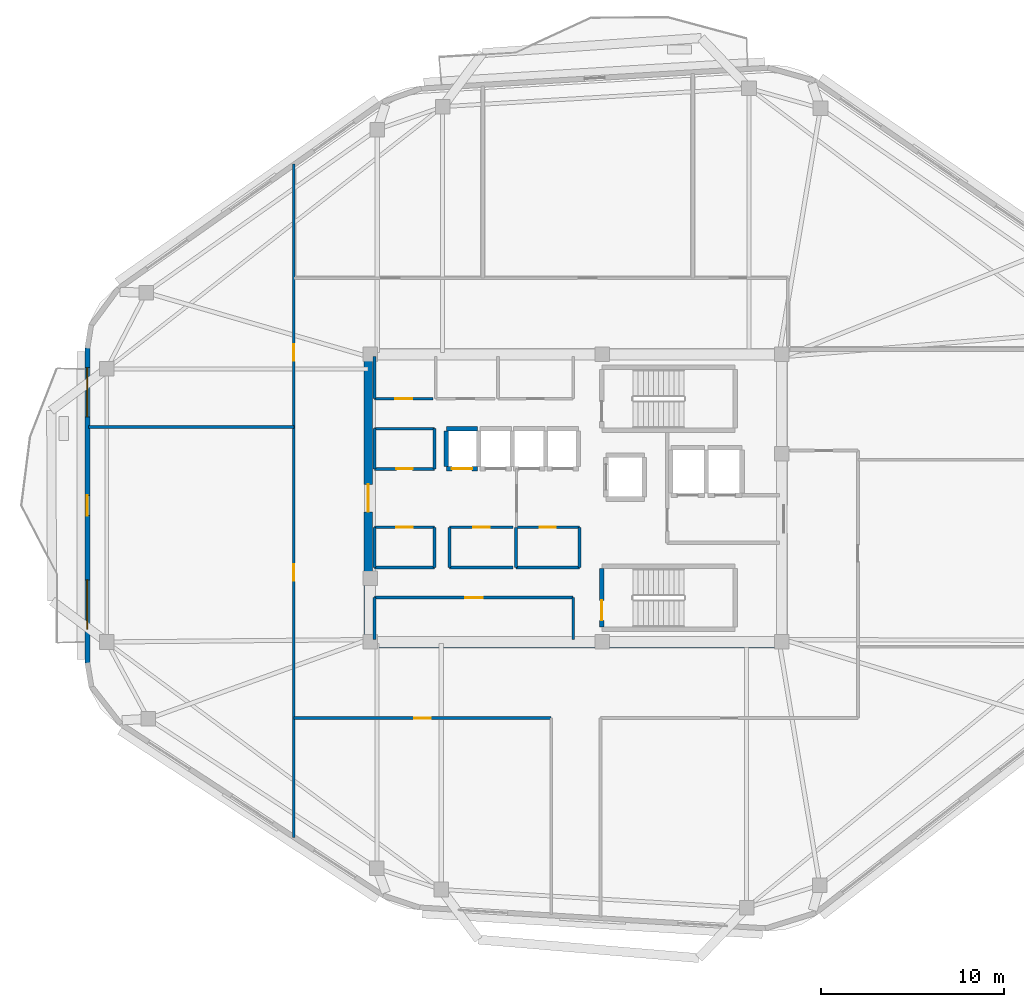
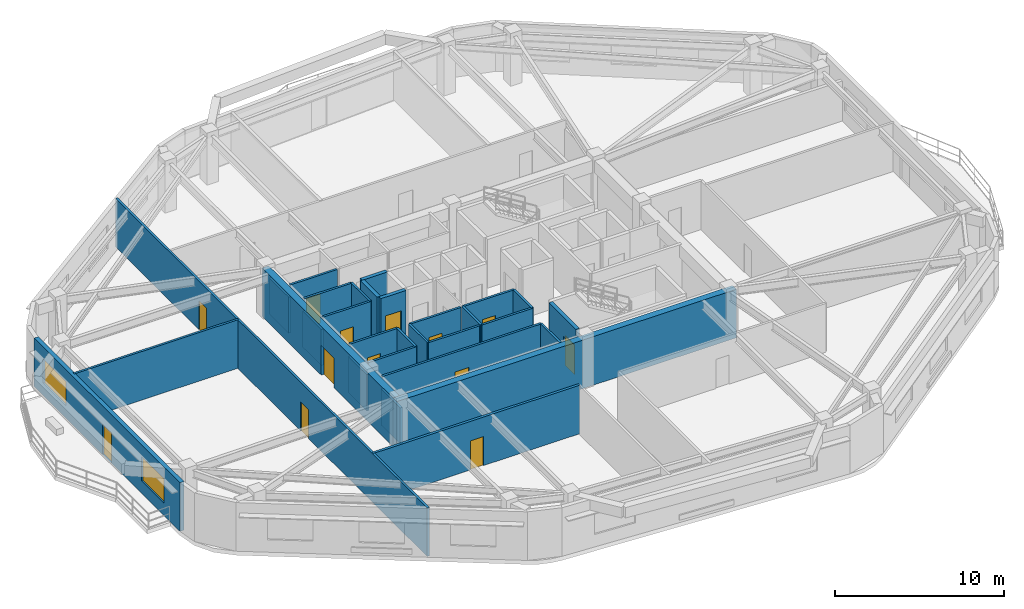
# One storey, part 3 of 9: 30 walls, 13 doors, 2 windows, 15 openings.
"""IFC4 building model written with IfcOpenShell, lengths in metres."""

from ifc_helpers import new_model, si_unit, direction, frame, frame_2d, origin, place, context, subcontext, project, spatial, rectangle, extrude, material, layer, layer_set, type_object, element, fill, save


model = new_model("IFC4")

# Units and contexts
model_context = context("Model", 3, precision=1e-05, world=origin(), true_north=direction((0.0, 1.0)))
body_context = subcontext(model_context, "Body", "Model", "MODEL_VIEW")
ifc_project = project(units=[si_unit("LENGTHUNIT", "METRE"), si_unit("AREAUNIT", "SQUARE_METRE"), si_unit("VOLUMEUNIT", "CUBIC_METRE"), si_unit("PLANEANGLEUNIT", "RADIAN"), si_unit("MASSUNIT", "GRAM", prefix="KILO")], contexts=[model_context])

# Site, building, storey
site_placement = place(None, origin())
site = spatial("IfcSite", under=ifc_project, at=site_placement, CompositionType="ELEMENT")
building_placement = place(site_placement, origin())
building = spatial("IfcBuilding", under=site, at=building_placement, Name="Zulverin Broadcast Headquarters", CompositionType="ELEMENT")
storey_placement = place(building_placement, frame((0.0, 0.0, 266.800048828125)))
storey = spatial("IfcBuildingStorey", under=building, at=storey_placement, Name="L68", CompositionType="ELEMENT", Elevation=266.800048828125)

# Wall
ifc_material_1 = material(Name="Concrete C50/60", Category="concrete")
ifc_layer_1 = layer(ifc_material_1, 0.449951171875, Name="Concrete C50/60", Category="concrete")
ifc_layer_set_1 = layer_set([ifc_layer_1], Name="Concrete C50/60")
wall_type_1 = type_object("IfcWallType", Name="WL-CORE-450", PredefinedType="SHEAR", material=ifc_layer_set_1)
wall_1_placement = place(storey_placement, frame((25.39990234375, 17.22509765625, 0.0), z_axis=(0.0, 0.0, 1.0), x_axis=(1.0, 0.0, 0.0)))
element("IfcWall", 1, at=wall_1_placement, inside=storey, type_object=wall_type_1, Name="L68 Core South Shear Wall", PredefinedType="SHEAR", context=body_context, shape_type="SweptSolid", body=[
    extrude(rectangle(XDim=23.2001953125, YDim=0.449951171875, at=frame_2d((11.60009765625, 0.0))), origin(), (0.0, 0.0, 1.0), 3.510009765625),
])

# Wall, opening, door
wall_2_placement = place(storey_placement, frame((25.625, 17.449951171875, 0.0), z_axis=(0.0, 0.0, 1.0), x_axis=(0.0, 1.0, 0.0)))
wall_2 = element("IfcWall", 2, at=wall_2_placement, inside=storey, type_object=wall_type_1, Name="L68 Core West Shear Wall", PredefinedType="SHEAR", context=body_context, shape_type="SweptSolid", body=[
    extrude(rectangle(XDim=15.5, YDim=0.449951171875, at=frame_2d((7.75, 0.0))), origin(), (0.0, 0.0, 1.0), 3.510009765625),
])
opening_1_placement = place(wall_2_placement, frame((7.0, 0.0, 0.0)))
opening_1 = element("IfcOpeningElement", 3, at=opening_1_placement, cuts=wall_2, Name="Opening D-L68-CW1", PredefinedType="OPENING", context=body_context, shape_type="SweptSolid", body=[
    extrude(rectangle(XDim=1.5, YDim=2.14990234375, at=frame_2d((0.75, 1.074951171875))), frame((0.0, 0.23486328125, 0.0), z_axis=(0.0, -1.0, 0.0), x_axis=(1.0, 0.0, 0.0)), (0.0, 0.0, 1.0), 0.469970703125),
])
ifc_material_2 = material(Name="Fire-rated glazed steel frame", Category="steel")
door_type_1 = type_object("IfcDoorType", Name="DR-COR-1500", OperationType="DOUBLE_DOOR_SINGLE_SWING", PredefinedType="DOOR", material=ifc_material_2)
door_1_placement = place(opening_1_placement, origin())
door_1 = element("IfcDoor", 4, at=door_1_placement, inside=storey, type_object=door_type_1, Name="L68 Central Lift Lobby West Portal Door", OperationType="DOUBLE_DOOR_SINGLE_SWING", OverallHeight=2.14990234375, OverallWidth=1.5, PredefinedType="DOOR", context=body_context, shape_type="SweptSolid", body=[
    extrude(rectangle(XDim=1.5, YDim=2.14990234375, at=frame_2d((0.75, 1.074951171875))), frame((0.0, 0.02490234375, 0.0), z_axis=(0.0, -1.0, 0.0), x_axis=(1.0, 0.0, 0.0)), (0.0, 0.0, 1.0), 0.050048828125),
])
fill(opening_1, door_1)

# Wall, openings, door, windows
ifc_material_3 = material(Name="Insulated pale-metal clad concrete spandrel C40/50", Category="concrete")
ifc_layer_2 = layer(ifc_material_3, 0.280029296875, Name="Insulated pale-metal clad concrete spandrel C40/50", Category="concrete")
ifc_layer_set_2 = layer_set([ifc_layer_2], Name="Insulated pale-metal clad concrete spandrel C40/50")
wall_type_2 = type_object("IfcWallType", Name="WL-EXT-280", PredefinedType="STANDARD", material=ifc_layer_set_2)
wall_3_placement = place(storey_placement, frame((10.239990234375, 33.42529296875, 0.0), z_axis=(0.0, 0.0, 1.0), x_axis=(0.0, -1.0, 0.0)))
wall_3 = element("IfcWall", 5, at=wall_3_placement, inside=storey, type_object=wall_type_2, Name="L68 Pale-Metal Clad Spandrel Wall 7", PredefinedType="STANDARD", context=body_context, shape_type="SweptSolid", body=[
    extrude(rectangle(XDim=17.256591796875, YDim=0.280029296875, at=frame_2d((8.62841796875, 0.0))), origin(), (0.0, 0.0, 1.0), 3.510009765625),
])
opening_2_placement = place(wall_3_placement, frame((8.078369140625, 0.0, 0.0)))
opening_2 = element("IfcOpeningElement", 6, at=opening_2_placement, cuts=wall_3, Name="Opening D-L68-TR7", PredefinedType="OPENING", context=body_context, shape_type="SweptSolid", body=[
    extrude(rectangle(XDim=1.10009765625, YDim=2.199951171875, at=frame_2d((0.550048828125, 1.10009765625))), frame((0.0, 0.14990234375, 0.0), z_axis=(0.0, -1.0, 0.0), x_axis=(1.0, 0.0, 0.0)), (0.0, 0.0, 1.0), 0.300048828125),
])
opening_3_placement = place(wall_3_placement, frame((1.079345703125, 0.0, 0.89990234375)))
opening_3 = element("IfcOpeningElement", 7, at=opening_3_placement, cuts=wall_3, Name="Opening W-L68-E71", PredefinedType="OPENING", context=body_context, shape_type="SweptSolid", body=[
    extrude(rectangle(XDim=2.699951171875, YDim=1.75, at=frame_2d((1.35009765625, 0.875))), frame((0.0, 0.14990234375, 0.0), z_axis=(0.0, -1.0, 0.0), x_axis=(1.0, 0.0, 0.0)), (0.0, 0.0, 1.0), 0.300048828125),
])
opening_4_placement = place(wall_3_placement, frame((12.697265625, 0.0, 0.89990234375)))
opening_4 = element("IfcOpeningElement", 8, at=opening_4_placement, cuts=wall_3, Name="Opening W-L68-E72", PredefinedType="OPENING", context=body_context, shape_type="SweptSolid", body=[
    extrude(rectangle(XDim=2.699951171875, YDim=1.75, at=frame_2d((1.35009765625, 0.875))), frame((0.0, 0.14990234375, 0.0), z_axis=(0.0, -1.0, 0.0), x_axis=(1.0, 0.0, 0.0)), (0.0, 0.0, 1.0), 0.300048828125),
])
ifc_material_4 = material(Name="Thermally broken aluminium glazed", Category="aluminium")
door_type_2 = type_object("IfcDoorType", Name="DR-TERR-1100", OperationType="SINGLE_SWING_RIGHT", PredefinedType="DOOR", material=ifc_material_4)
door_2_placement = place(opening_2_placement, origin())
door_2 = element("IfcDoor", 9, at=door_2_placement, inside=storey, type_object=door_type_2, Name="L68 Planted Terrace Glazed Access Door 7", OperationType="SINGLE_SWING_RIGHT", OverallHeight=2.199951171875, OverallWidth=1.10009765625, PredefinedType="DOOR", context=body_context, shape_type="SweptSolid", body=[
    extrude(rectangle(XDim=1.10009765625, YDim=2.199951171875, at=frame_2d((0.550048828125, 1.10009765625))), frame((0.0, 0.02490234375, 0.0), z_axis=(0.0, -1.0, 0.0), x_axis=(1.0, 0.0, 0.0)), (0.0, 0.0, 1.0), 0.050048828125),
])
fill(opening_2, door_2)
ifc_material_5 = material(Name="Pale anodized aluminium frame with solar-control low-E double glazing", Category="aluminium")
window_type = type_object("IfcWindowType", Name="WIN-TWR-2700", PartitioningType="SINGLE_PANEL", PredefinedType="WINDOW", material=ifc_material_5)
window_1_placement = place(opening_3_placement, origin())
window_1 = element("IfcWindow", 10, at=window_1_placement, inside=storey, type_object=window_type, Name="L68 Ribbon Glazing Window 7 1", OverallHeight=1.75, OverallWidth=2.699951171875, PartitioningType="SINGLE_PANEL", PredefinedType="WINDOW", context=body_context, shape_type="SweptSolid", body=[
    extrude(rectangle(XDim=2.699951171875, YDim=1.75, at=frame_2d((1.35009765625, 0.875))), frame((0.0, 0.030029296875, 0.0), z_axis=(0.0, -1.0, 0.0), x_axis=(1.0, 0.0, 0.0)), (0.0, 0.0, 1.0), 0.06005859375),
])
fill(opening_3, window_1)
window_2_placement = place(opening_4_placement, origin())
window_2 = element("IfcWindow", 11, at=window_2_placement, inside=storey, type_object=window_type, Name="L68 Ribbon Glazing Window 7 2", OverallHeight=1.75, OverallWidth=2.699951171875, PartitioningType="SINGLE_PANEL", PredefinedType="WINDOW", context=body_context, shape_type="SweptSolid", body=[
    extrude(rectangle(XDim=2.699951171875, YDim=1.75, at=frame_2d((1.35009765625, 0.875))), frame((0.0, 0.030029296875, 0.0), z_axis=(0.0, -1.0, 0.0), x_axis=(1.0, 0.0, 0.0)), (0.0, 0.0, 1.0), 0.06005859375),
])
fill(opening_4, window_2)

# Wall, opening, door
ifc_material_6 = material(Name="Fire-rated gypsum stud partition", Category="gypsum")
ifc_layer_3 = layer(ifc_material_6, 0.14990234375, Name="Fire-rated gypsum stud partition", Category="gypsum")
ifc_layer_set_3 = layer_set([ifc_layer_3], Name="Fire-rated gypsum stud partition")
wall_type_3 = type_object("IfcWallType", Name="WL-PART-150", PredefinedType="PARTITIONING", material=ifc_layer_set_3)
wall_4_placement = place(storey_placement, frame((25.969970703125, 30.64990234375, 0.0), z_axis=(0.0, 0.0, 1.0), x_axis=(1.0, 0.0, 0.0)))
wall_4 = element("IfcWall", 12, at=wall_4_placement, inside=storey, type_object=wall_type_3, Name="L68 Core Accessible WC Front Wall", PredefinedType="PARTITIONING", context=body_context, shape_type="SweptSolid", body=[
    extrude(rectangle(XDim=3.199951171875, YDim=0.14990234375, at=frame_2d((1.60009765625, 0.0))), origin(), (0.0, 0.0, 1.0), 3.510009765625),
])
opening_5_placement = place(wall_4_placement, frame((1.125, 0.0, 0.0)))
opening_5 = element("IfcOpeningElement", 13, at=opening_5_placement, cuts=wall_4, Name="Opening D-L68-NC1", PredefinedType="OPENING", context=body_context, shape_type="SweptSolid", body=[
    extrude(rectangle(XDim=0.949951171875, YDim=2.10009765625, at=frame_2d((0.47509765625, 1.050048828125))), frame((0.0, 0.0849609375, 0.0), z_axis=(0.0, -1.0, 0.0), x_axis=(1.0, 0.0, 0.0)), (0.0, 0.0, 1.0), 0.169921875),
])
ifc_material_7 = material(Name="Fire-rated moisture-resistant laminate leaf", Category="wood")
door_type_3 = type_object("IfcDoorType", Name="DR-WC-950", OperationType="SINGLE_SWING_LEFT", PredefinedType="DOOR", material=ifc_material_7)
door_3_placement = place(opening_5_placement, origin())
door_3 = element("IfcDoor", 14, at=door_3_placement, inside=storey, type_object=door_type_3, Name="L68 Accessible WC Door", OperationType="SINGLE_SWING_LEFT", OverallHeight=2.10009765625, OverallWidth=0.949951171875, PredefinedType="DOOR", context=body_context, shape_type="SweptSolid", body=[
    extrude(rectangle(XDim=0.949951171875, YDim=2.10009765625, at=frame_2d((0.47509765625, 1.050048828125))), frame((0.0, 0.02490234375, 0.0), z_axis=(0.0, -1.0, 0.0), x_axis=(1.0, 0.0, 0.0)), (0.0, 0.0, 1.0), 0.050048828125),
])
fill(opening_5, door_3)

# Wall
wall_5_placement = place(storey_placement, frame((25.969970703125, 30.64990234375, 0.0), z_axis=(0.0, 0.0, 1.0), x_axis=(0.0, 1.0, 0.0)))
element("IfcWall", 15, at=wall_5_placement, inside=storey, type_object=wall_type_3, Name="L68 Core Accessible WC West Wall", PredefinedType="PARTITIONING", context=body_context, shape_type="SweptSolid", body=[
    extrude(rectangle(XDim=2.300048828125, YDim=0.14990234375, at=frame_2d((1.14990234375, 0.0))), origin(), (0.0, 0.0, 1.0), 2.60986328125),
])

# Wall, opening, door
wall_6_placement = place(storey_placement, frame((25.969970703125, 19.75, 0.0), z_axis=(0.0, 0.0, 1.0), x_axis=(1.0, 0.0, 0.0)))
wall_6 = element("IfcWall", 16, at=wall_6_placement, inside=storey, type_object=wall_type_3, Name="L68 Core Female WC & Facilities Room Front Wall", PredefinedType="PARTITIONING", context=body_context, shape_type="SweptSolid", body=[
    extrude(rectangle(XDim=10.880126953125, YDim=0.14990234375, at=frame_2d((5.43994140625, 0.0))), origin(), (0.0, 0.0, 1.0), 3.510009765625),
])
opening_6_placement = place(wall_6_placement, frame((4.965087890625, 0.0, 0.0)))
opening_6 = element("IfcOpeningElement", 17, at=opening_6_placement, cuts=wall_6, Name="Opening D-L68-SC1", PredefinedType="OPENING", context=body_context, shape_type="SweptSolid", body=[
    extrude(rectangle(XDim=0.949951171875, YDim=2.10009765625, at=frame_2d((0.47509765625, 1.050048828125))), frame((0.0, 0.0849609375, 0.0), z_axis=(0.0, -1.0, 0.0), x_axis=(1.0, 0.0, 0.0)), (0.0, 0.0, 1.0), 0.169921875),
])
door_4_placement = place(opening_6_placement, origin())
door_4 = element("IfcDoor", 18, at=door_4_placement, inside=storey, type_object=door_type_3, Name="L68 Female WC & Facilities Room Door", OperationType="SINGLE_SWING_RIGHT", OverallHeight=2.10009765625, OverallWidth=0.949951171875, PredefinedType="DOOR", context=body_context, shape_type="SweptSolid", body=[
    extrude(rectangle(XDim=0.949951171875, YDim=2.10009765625, at=frame_2d((0.47509765625, 1.050048828125))), frame((0.0, 0.02490234375, 0.0), z_axis=(0.0, -1.0, 0.0), x_axis=(1.0, 0.0, 0.0)), (0.0, 0.0, 1.0), 0.050048828125),
])
fill(opening_6, door_4)

# Walls
wall_7_placement = place(storey_placement, frame((25.969970703125, 17.449951171875, 0.0), z_axis=(0.0, 0.0, 1.0), x_axis=(0.0, 1.0, 0.0)))
element("IfcWall", 19, at=wall_7_placement, inside=storey, type_object=wall_type_3, Name="L68 Core Female WC & Facilities Room West Wall", PredefinedType="PARTITIONING", context=body_context, shape_type="SweptSolid", body=[
    extrude(rectangle(XDim=2.300048828125, YDim=0.14990234375, at=frame_2d((1.14990234375, 0.0))), origin(), (0.0, 0.0, 1.0), 2.60986328125),
])
wall_8_placement = place(storey_placement, frame((36.85009765625, 17.449951171875, 0.0), z_axis=(0.0, 0.0, 1.0), x_axis=(0.0, 1.0, 0.0)))
element("IfcWall", 20, at=wall_8_placement, inside=storey, type_object=wall_type_3, Name="L68 Core Female WC & Facilities Room East Wall", PredefinedType="PARTITIONING", context=body_context, shape_type="SweptSolid", body=[
    extrude(rectangle(XDim=2.300048828125, YDim=0.14990234375, at=frame_2d((1.14990234375, 0.0))), origin(), (0.0, 0.0, 1.0), 3.510009765625),
])

# Wall, opening, door
wall_9_placement = place(storey_placement, frame((25.969970703125, 26.800048828125, 0.0), z_axis=(0.0, 0.0, 1.0), x_axis=(1.0, 0.0, 0.0)))
wall_9 = element("IfcWall", 21, at=wall_9_placement, inside=storey, type_object=wall_type_3, Name="L68 Core UPS Battery Store S Wall", PredefinedType="PARTITIONING", context=body_context, shape_type="SweptSolid", body=[
    extrude(rectangle(XDim=3.280029296875, YDim=0.14990234375, at=frame_2d((1.64013671875, 0.0))), origin(), (0.0, 0.0, 1.0), 3.510009765625),
])
opening_7_placement = place(wall_9_placement, frame((1.18994140625, 0.0, 0.0)))
opening_7 = element("IfcOpeningElement", 22, at=opening_7_placement, cuts=wall_9, Name="Opening D-L68-RCLN", PredefinedType="OPENING", context=body_context, shape_type="SweptSolid", body=[
    extrude(rectangle(XDim=0.89990234375, YDim=2.10009765625, at=frame_2d((0.449951171875, 1.050048828125))), frame((0.0, 0.0849609375, 0.0), z_axis=(0.0, -1.0, 0.0), x_axis=(1.0, 0.0, 0.0)), (0.0, 0.0, 1.0), 0.169921875),
])
ifc_material_8 = material(Name="Powder-coated steel access leaf", Category="steel")
door_type_4 = type_object("IfcDoorType", Name="DR-RISER-900", OperationType="SINGLE_SWING_LEFT", PredefinedType="DOOR", material=ifc_material_8)
door_5_placement = place(opening_7_placement, origin())
door_5 = element("IfcDoor", 23, at=door_5_placement, inside=storey, type_object=door_type_4, Name="L68 Core UPS Battery Store Door", OperationType="SINGLE_SWING_LEFT", OverallHeight=2.10009765625, OverallWidth=0.89990234375, PredefinedType="DOOR", context=body_context, shape_type="SweptSolid", body=[
    extrude(rectangle(XDim=0.89990234375, YDim=2.10009765625, at=frame_2d((0.449951171875, 1.050048828125))), frame((0.0, 0.02490234375, 0.0), z_axis=(0.0, -1.0, 0.0), x_axis=(1.0, 0.0, 0.0)), (0.0, 0.0, 1.0), 0.050048828125),
])
fill(opening_7, door_5)

# Walls
wall_10_placement = place(storey_placement, frame((25.969970703125, 29.0, 0.0), z_axis=(0.0, 0.0, 1.0), x_axis=(1.0, 0.0, 0.0)))
element("IfcWall", 24, at=wall_10_placement, inside=storey, type_object=wall_type_3, Name="L68 Core UPS Battery Store N Wall", PredefinedType="PARTITIONING", context=body_context, shape_type="SweptSolid", body=[
    extrude(rectangle(XDim=3.280029296875, YDim=0.14990234375, at=frame_2d((1.64013671875, 0.0))), origin(), (0.0, 0.0, 1.0), 3.510009765625),
])
wall_11_placement = place(storey_placement, frame((25.969970703125, 26.800048828125, 0.0), z_axis=(0.0, 0.0, 1.0), x_axis=(0.0, 1.0, 0.0)))
element("IfcWall", 25, at=wall_11_placement, inside=storey, type_object=wall_type_3, Name="L68 Core UPS Battery Store W Wall", PredefinedType="PARTITIONING", context=body_context, shape_type="SweptSolid", body=[
    extrude(rectangle(XDim=2.199951171875, YDim=0.14990234375, at=frame_2d((1.10009765625, 0.0))), origin(), (0.0, 0.0, 1.0), 2.60986328125),
])
wall_12_placement = place(storey_placement, frame((29.25, 26.800048828125, 0.0), z_axis=(0.0, 0.0, 1.0), x_axis=(0.0, 1.0, 0.0)))
element("IfcWall", 26, at=wall_12_placement, inside=storey, type_object=wall_type_3, Name="L68 Core UPS Battery Store E Wall", PredefinedType="PARTITIONING", context=body_context, shape_type="SweptSolid", body=[
    extrude(rectangle(XDim=2.199951171875, YDim=0.14990234375, at=frame_2d((1.10009765625, 0.0))), origin(), (0.0, 0.0, 1.0), 3.510009765625),
])
wall_13_placement = place(storey_placement, frame((25.969970703125, 21.39990234375, 0.0), z_axis=(0.0, 0.0, 1.0), x_axis=(1.0, 0.0, 0.0)))
element("IfcWall", 27, at=wall_13_placement, inside=storey, type_object=wall_type_3, Name="L68 Media Ingestion Server Room S Wall", PredefinedType="PARTITIONING", context=body_context, shape_type="SweptSolid", body=[
    extrude(rectangle(XDim=3.280029296875, YDim=0.14990234375, at=frame_2d((1.64013671875, 0.0))), origin(), (0.0, 0.0, 1.0), 3.510009765625),
])

# Wall, opening, door
wall_14_placement = place(storey_placement, frame((25.969970703125, 23.60009765625, 0.0), z_axis=(0.0, 0.0, 1.0), x_axis=(1.0, 0.0, 0.0)))
wall_14 = element("IfcWall", 28, at=wall_14_placement, inside=storey, type_object=wall_type_3, Name="L68 Media Ingestion Server Room N Wall", PredefinedType="PARTITIONING", context=body_context, shape_type="SweptSolid", body=[
    extrude(rectangle(XDim=3.280029296875, YDim=0.14990234375, at=frame_2d((1.64013671875, 0.0))), origin(), (0.0, 0.0, 1.0), 3.510009765625),
])
opening_8_placement = place(wall_14_placement, frame((1.18994140625, 0.0, 0.0)))
opening_8 = element("IfcOpeningElement", 29, at=opening_8_placement, cuts=wall_14, Name="Opening D-L68-RCLS", PredefinedType="OPENING", context=body_context, shape_type="SweptSolid", body=[
    extrude(rectangle(XDim=0.89990234375, YDim=2.10009765625, at=frame_2d((0.449951171875, 1.050048828125))), frame((0.0, 0.0849609375, 0.0), z_axis=(0.0, -1.0, 0.0), x_axis=(1.0, 0.0, 0.0)), (0.0, 0.0, 1.0), 0.169921875),
])
door_6_placement = place(opening_8_placement, origin())
door_6 = element("IfcDoor", 30, at=door_6_placement, inside=storey, type_object=door_type_4, Name="L68 Media Ingestion Server Room Door", OperationType="SINGLE_SWING_RIGHT", OverallHeight=2.10009765625, OverallWidth=0.89990234375, PredefinedType="DOOR", context=body_context, shape_type="SweptSolid", body=[
    extrude(rectangle(XDim=0.89990234375, YDim=2.10009765625, at=frame_2d((0.449951171875, 1.050048828125))), frame((0.0, 0.02490234375, 0.0), z_axis=(0.0, -1.0, 0.0), x_axis=(1.0, 0.0, 0.0)), (0.0, 0.0, 1.0), 0.050048828125),
])
fill(opening_8, door_6)

# Walls
wall_15_placement = place(storey_placement, frame((25.969970703125, 21.39990234375, 0.0), z_axis=(0.0, 0.0, 1.0), x_axis=(0.0, 1.0, 0.0)))
element("IfcWall", 31, at=wall_15_placement, inside=storey, type_object=wall_type_3, Name="L68 Media Ingestion Server Room W Wall", PredefinedType="PARTITIONING", context=body_context, shape_type="SweptSolid", body=[
    extrude(rectangle(XDim=2.2001953125, YDim=0.14990234375, at=frame_2d((1.10009765625, 0.0))), origin(), (0.0, 0.0, 1.0), 2.60986328125),
])
wall_16_placement = place(storey_placement, frame((29.25, 21.39990234375, 0.0), z_axis=(0.0, 0.0, 1.0), x_axis=(0.0, 1.0, 0.0)))
element("IfcWall", 32, at=wall_16_placement, inside=storey, type_object=wall_type_3, Name="L68 Media Ingestion Server Room E Wall", PredefinedType="PARTITIONING", context=body_context, shape_type="SweptSolid", body=[
    extrude(rectangle(XDim=2.2001953125, YDim=0.14990234375, at=frame_2d((1.10009765625, 0.0))), origin(), (0.0, 0.0, 1.0), 3.510009765625),
])
wall_17_placement = place(storey_placement, frame((30.080078125, 21.39990234375, 0.0), z_axis=(0.0, 0.0, 1.0), x_axis=(1.0, 0.0, 0.0)))
element("IfcWall", 33, at=wall_17_placement, inside=storey, type_object=wall_type_3, Name="L68 High-Zone Archive Vault Store S Wall", PredefinedType="PARTITIONING", context=body_context, shape_type="SweptSolid", body=[
    extrude(rectangle(XDim=3.47998046875, YDim=0.14990234375, at=frame_2d((1.739990234375, 0.0))), origin(), (0.0, 0.0, 1.0), 3.510009765625),
])

# Wall, opening, door
wall_18_placement = place(storey_placement, frame((30.080078125, 23.60009765625, 0.0), z_axis=(0.0, 0.0, 1.0), x_axis=(1.0, 0.0, 0.0)))
wall_18 = element("IfcWall", 34, at=wall_18_placement, inside=storey, type_object=wall_type_3, Name="L68 High-Zone Archive Vault Store N Wall", PredefinedType="PARTITIONING", context=body_context, shape_type="SweptSolid", body=[
    extrude(rectangle(XDim=3.47998046875, YDim=0.14990234375, at=frame_2d((1.739990234375, 0.0))), origin(), (0.0, 0.0, 1.0), 3.510009765625),
])
opening_9_placement = place(wall_18_placement, frame((1.2900390625, 0.0, 0.0)))
opening_9 = element("IfcOpeningElement", 35, at=opening_9_placement, cuts=wall_18, Name="Opening D-L68-RM1", PredefinedType="OPENING", context=body_context, shape_type="SweptSolid", body=[
    extrude(rectangle(XDim=0.89990234375, YDim=2.10009765625, at=frame_2d((0.449951171875, 1.050048828125))), frame((0.0, 0.0849609375, 0.0), z_axis=(0.0, -1.0, 0.0), x_axis=(1.0, 0.0, 0.0)), (0.0, 0.0, 1.0), 0.169921875),
])
door_7_placement = place(opening_9_placement, origin())
door_7 = element("IfcDoor", 36, at=door_7_placement, inside=storey, type_object=door_type_4, Name="L68 High-Zone Archive Vault Store Door", OperationType="SINGLE_SWING_LEFT", OverallHeight=2.10009765625, OverallWidth=0.89990234375, PredefinedType="DOOR", context=body_context, shape_type="SweptSolid", body=[
    extrude(rectangle(XDim=0.89990234375, YDim=2.10009765625, at=frame_2d((0.449951171875, 1.050048828125))), frame((0.0, 0.02490234375, 0.0), z_axis=(0.0, -1.0, 0.0), x_axis=(1.0, 0.0, 0.0)), (0.0, 0.0, 1.0), 0.050048828125),
])
fill(opening_9, door_7)

# Walls
wall_19_placement = place(storey_placement, frame((30.080078125, 21.39990234375, 0.0), z_axis=(0.0, 0.0, 1.0), x_axis=(0.0, 1.0, 0.0)))
element("IfcWall", 37, at=wall_19_placement, inside=storey, type_object=wall_type_3, Name="L68 High-Zone Archive Vault Store W Wall", PredefinedType="PARTITIONING", context=body_context, shape_type="SweptSolid", body=[
    extrude(rectangle(XDim=2.2001953125, YDim=0.14990234375, at=frame_2d((1.10009765625, 0.0))), origin(), (0.0, 0.0, 1.0), 3.510009765625),
])
wall_20_placement = place(storey_placement, frame((33.719970703125, 21.39990234375, 0.0), z_axis=(0.0, 0.0, 1.0), x_axis=(1.0, 0.0, 0.0)))
element("IfcWall", 38, at=wall_20_placement, inside=storey, type_object=wall_type_3, Name="L68 Executive Floor Pantry Store S Wall", PredefinedType="PARTITIONING", context=body_context, shape_type="SweptSolid", body=[
    extrude(rectangle(XDim=3.47998046875, YDim=0.14990234375, at=frame_2d((1.739990234375, 0.0))), origin(), (0.0, 0.0, 1.0), 3.510009765625),
])

# Wall, opening, door
wall_21_placement = place(storey_placement, frame((33.719970703125, 23.60009765625, 0.0), z_axis=(0.0, 0.0, 1.0), x_axis=(1.0, 0.0, 0.0)))
wall_21 = element("IfcWall", 39, at=wall_21_placement, inside=storey, type_object=wall_type_3, Name="L68 Executive Floor Pantry Store N Wall", PredefinedType="PARTITIONING", context=body_context, shape_type="SweptSolid", body=[
    extrude(rectangle(XDim=3.47998046875, YDim=0.14990234375, at=frame_2d((1.739990234375, 0.0))), origin(), (0.0, 0.0, 1.0), 3.510009765625),
])
opening_10_placement = place(wall_21_placement, frame((1.2900390625, 0.0, 0.0)))
opening_10 = element("IfcOpeningElement", 40, at=opening_10_placement, cuts=wall_21, Name="Opening D-L68-RM2", PredefinedType="OPENING", context=body_context, shape_type="SweptSolid", body=[
    extrude(rectangle(XDim=0.89990234375, YDim=2.10009765625, at=frame_2d((0.449951171875, 1.050048828125))), frame((0.0, 0.0849609375, 0.0), z_axis=(0.0, -1.0, 0.0), x_axis=(1.0, 0.0, 0.0)), (0.0, 0.0, 1.0), 0.169921875),
])
door_8_placement = place(opening_10_placement, origin())
door_8 = element("IfcDoor", 41, at=door_8_placement, inside=storey, type_object=door_type_4, Name="L68 Executive Floor Pantry Store Door", OperationType="SINGLE_SWING_RIGHT", OverallHeight=2.10009765625, OverallWidth=0.89990234375, PredefinedType="DOOR", context=body_context, shape_type="SweptSolid", body=[
    extrude(rectangle(XDim=0.89990234375, YDim=2.10009765625, at=frame_2d((0.449951171875, 1.050048828125))), frame((0.0, 0.02490234375, 0.0), z_axis=(0.0, -1.0, 0.0), x_axis=(1.0, 0.0, 0.0)), (0.0, 0.0, 1.0), 0.050048828125),
])
fill(opening_10, door_8)

# Walls
for number, where, z_axis, x_axis, name in (
    (42, (33.719970703125, 21.39990234375, 0.0), (0.0, 0.0, 1.0), (0.0, 1.0, 0.0), "L68 Executive Floor Pantry Store W Wall"),
    (43, (37.199951171875, 21.39990234375, 0.0), (0.0, 0.0, 1.0), (0.0, 1.0, 0.0), "L68 Executive Floor Pantry Store E Wall"),
):
    element("IfcWall", number, at=place(storey_placement, frame(where, z_axis=z_axis, x_axis=x_axis)), inside=storey, type_object=wall_type_3, Name=name, PredefinedType="PARTITIONING", context=body_context, shape_type="SweptSolid", body=[
        extrude(rectangle(XDim=2.2001953125, YDim=0.14990234375, at=frame_2d((1.10009765625, 0.0))), origin(), (0.0, 0.0, 1.0), 3.510009765625),
    ])

# Wall, openings, doors
wall_22_placement = place(storey_placement, frame((21.550048828125, 6.60791015625, 0.0), z_axis=(0.0, 0.0, 1.0), x_axis=(0.0, 1.0, 0.0)))
wall_22 = element("IfcWall", 44, at=wall_22_placement, inside=storey, type_object=wall_type_3, Name="L68 Gallery Partition Wall CG-07", PredefinedType="PARTITIONING", context=body_context, shape_type="SweptSolid", body=[
    extrude(rectangle(XDim=36.8828125, YDim=0.14990234375, at=frame_2d((18.44140625, 0.0))), origin(), (0.0, 0.0, 1.0), 3.510009765625),
])
opening_11_placement = place(wall_22_placement, frame((14.067138671875, 0.0, 0.0)))
opening_11 = element("IfcOpeningElement", 45, at=opening_11_placement, cuts=wall_22, Name="Opening D-L68-06", PredefinedType="OPENING", context=body_context, shape_type="SweptSolid", body=[
    extrude(rectangle(XDim=0.89990234375, YDim=2.10009765625, at=frame_2d((0.449951171875, 1.050048828125))), frame((0.0, 0.0849609375, 0.0), z_axis=(0.0, -1.0, 0.0), x_axis=(1.0, 0.0, 0.0)), (0.0, 0.0, 1.0), 0.169921875),
])
opening_12_placement = place(wall_22_placement, frame((26.1171875, 0.0, 0.0)))
opening_12 = element("IfcOpeningElement", 46, at=opening_12_placement, cuts=wall_22, Name="Opening D-L68-07", PredefinedType="OPENING", context=body_context, shape_type="SweptSolid", body=[
    extrude(rectangle(XDim=0.89990234375, YDim=2.10009765625, at=frame_2d((0.449951171875, 1.050048828125))), frame((0.0, 0.0849609375, 0.0), z_axis=(0.0, -1.0, 0.0), x_axis=(1.0, 0.0, 0.0)), (0.0, 0.0, 1.0), 0.169921875),
])
ifc_material_9 = material(Name="Fire-rated hardwood veneer timber leaf", Category="wood")
door_type_5 = type_object("IfcDoorType", Name="DR-ROOM-900", OperationType="SINGLE_SWING_RIGHT", PredefinedType="DOOR", material=ifc_material_9)
door_9_placement = place(opening_11_placement, origin())
door_9 = element("IfcDoor", 47, at=door_9_placement, inside=storey, type_object=door_type_5, Name="L68 Boardroom Door", OperationType="SINGLE_SWING_LEFT", OverallHeight=2.10009765625, OverallWidth=0.89990234375, PredefinedType="DOOR", context=body_context, shape_type="SweptSolid", body=[
    extrude(rectangle(XDim=0.89990234375, YDim=2.10009765625, at=frame_2d((0.449951171875, 1.050048828125))), frame((0.0, 0.02490234375, 0.0), z_axis=(0.0, -1.0, 0.0), x_axis=(1.0, 0.0, 0.0)), (0.0, 0.0, 1.0), 0.050048828125),
])
fill(opening_11, door_9)
door_10_placement = place(opening_12_placement, origin())
door_10 = element("IfcDoor", 48, at=door_10_placement, inside=storey, type_object=door_type_5, Name="L68 Briefing Room Door", OperationType="SINGLE_SWING_RIGHT", OverallHeight=2.10009765625, OverallWidth=0.89990234375, PredefinedType="DOOR", context=body_context, shape_type="SweptSolid", body=[
    extrude(rectangle(XDim=0.89990234375, YDim=2.10009765625, at=frame_2d((0.449951171875, 1.050048828125))), frame((0.0, 0.02490234375, 0.0), z_axis=(0.0, -1.0, 0.0), x_axis=(1.0, 0.0, 0.0)), (0.0, 0.0, 1.0), 0.050048828125),
])
fill(opening_12, door_10)

# Wall
wall_23_placement = place(storey_placement, frame((10.304931640625, 29.10009765625, 0.0), z_axis=(0.0, 0.0, 1.0), x_axis=(1.0, 0.0, 0.0)))
element("IfcWall", 49, at=wall_23_placement, inside=storey, type_object=wall_type_3, Name="L68 Room Partition Wall RP-13", PredefinedType="PARTITIONING", context=body_context, shape_type="SweptSolid", body=[
    extrude(rectangle(XDim=11.2451171875, YDim=0.14990234375, at=frame_2d((5.62255859375, 0.0))), origin(), (0.0, 0.0, 1.0), 3.510009765625),
])

# Wall, opening, door
ifc_material_10 = material(Name="Fire-rated acoustic stud wall", Category="gypsum")
ifc_layer_4 = layer(ifc_material_10, 0.175048828125, Name="Fire-rated acoustic stud wall", Category="gypsum")
ifc_layer_set_4 = layer_set([ifc_layer_4], Name="Fire-rated acoustic stud wall")
wall_type_4 = type_object("IfcWallType", Name="WL-PART-175", PredefinedType="PARTITIONING", material=ifc_layer_set_4)
wall_24_placement = place(storey_placement, frame((21.550048828125, 13.14990234375, 0.0), z_axis=(0.0, 0.0, 1.0), x_axis=(1.0, 0.0, 0.0)))
wall_24 = element("IfcWall", 50, at=wall_24_placement, inside=storey, type_object=wall_type_4, Name="L68 Gallery Partition Wall CG-08", PredefinedType="PARTITIONING", context=body_context, shape_type="SweptSolid", body=[
    extrude(rectangle(XDim=14.099853515625, YDim=0.175048828125, at=frame_2d((7.0498046875, 0.0))), origin(), (0.0, 0.0, 1.0), 3.510009765625),
])
opening_13_placement = place(wall_24_placement, frame((6.60009765625, 0.0, 0.0)))
opening_13 = element("IfcOpeningElement", 51, at=opening_13_placement, cuts=wall_24, Name="Opening D-L68-04", PredefinedType="OPENING", context=body_context, shape_type="SweptSolid", body=[
    extrude(rectangle(XDim=0.89990234375, YDim=2.10009765625, at=frame_2d((0.449951171875, 1.050048828125))), frame((0.0, 0.097412109375, 0.0), z_axis=(0.0, -1.0, 0.0), x_axis=(1.0, 0.0, 0.0)), (0.0, 0.0, 1.0), 0.195068359375),
])
door_11_placement = place(opening_13_placement, origin())
door_11 = element("IfcDoor", 52, at=door_11_placement, inside=storey, type_object=door_type_5, Name="L68 Conference Room Door", OperationType="SINGLE_SWING_LEFT", OverallHeight=2.10009765625, OverallWidth=0.89990234375, PredefinedType="DOOR", context=body_context, shape_type="SweptSolid", body=[
    extrude(rectangle(XDim=0.89990234375, YDim=2.10009765625, at=frame_2d((0.449951171875, 1.050048828125))), frame((0.0, 0.02490234375, 0.0), z_axis=(0.0, -1.0, 0.0), x_axis=(1.0, 0.0, 0.0)), (0.0, 0.0, 1.0), 0.050048828125),
])
fill(opening_13, door_11)

ifc_layer_5 = layer(ifc_material_1, 0.25, Name="Concrete C50/60", Category="concrete")
ifc_layer_set_5 = layer_set([ifc_layer_5], Name="Concrete C50/60")
wall_type_5 = type_object("IfcWallType", Name="WL-SHAFT-250", PredefinedType="SHEAR", material=ifc_layer_set_5)
wall_25_placement = place(storey_placement, frame((38.425048828125, 18.14990234375, 0.0), z_axis=(0.0, 0.0, 1.0), x_axis=(0.0, 1.0, 0.0)))
wall_25 = element("IfcWall", 53, at=wall_25_placement, inside=storey, type_object=wall_type_5, Name="L68 ST-2 Enclosure Wall W", PredefinedType="SHEAR", context=body_context, shape_type="SweptSolid", body=[
    extrude(rectangle(XDim=3.2001953125, YDim=0.25, at=frame_2d((1.60009765625, 0.0))), origin(), (0.0, 0.0, 1.0), 3.510009765625),
])
opening_14_placement = place(wall_25_placement, frame((0.35009765625, 0.0, 0.0)))
opening_14 = element("IfcOpeningElement", 54, at=opening_14_placement, cuts=wall_25, Name="Opening D-L68-ST-2", PredefinedType="OPENING", context=body_context, shape_type="SweptSolid", body=[
    extrude(rectangle(XDim=1.10009765625, YDim=2.14990234375, at=frame_2d((0.550048828125, 1.074951171875))), frame((0.0, 0.135009765625, 0.0), z_axis=(0.0, -1.0, 0.0), x_axis=(1.0, 0.0, 0.0)), (0.0, 0.0, 1.0), 0.27001953125),
])
ifc_material_11 = material(Name="Fire-rated steel leaf and frame", Category="steel")
door_type_6 = type_object("IfcDoorType", Name="DR-STAIR-1100", OperationType="SINGLE_SWING_LEFT", PredefinedType="DOOR", material=ifc_material_11)
door_12_placement = place(opening_14_placement, origin())
door_12 = element("IfcDoor", 55, at=door_12_placement, inside=storey, type_object=door_type_6, Name="L68 Exit Stair ST-2 Fire Door", OperationType="SINGLE_SWING_RIGHT", OverallHeight=2.14990234375, OverallWidth=1.10009765625, PredefinedType="DOOR", context=body_context, shape_type="SweptSolid", body=[
    extrude(rectangle(XDim=1.10009765625, YDim=2.14990234375, at=frame_2d((0.550048828125, 1.074951171875))), frame((0.0, 0.02490234375, 0.0), z_axis=(0.0, -1.0, 0.0), x_axis=(1.0, 0.0, 0.0)), (0.0, 0.0, 1.0), 0.050048828125),
])
fill(opening_14, door_12)

wall_26_placement = place(storey_placement, frame((29.89990234375, 26.800048828125, 0.0), z_axis=(0.0, 0.0, 1.0), x_axis=(1.0, 0.0, 0.0)))
wall_26 = element("IfcWall", 56, at=wall_26_placement, inside=storey, type_object=wall_type_5, Name="L68 Lift PL-H1 Shaft Wall S", PredefinedType="SHEAR", context=body_context, shape_type="SweptSolid", body=[
    extrude(rectangle(XDim=1.72021484375, YDim=0.25, at=frame_2d((0.860107421875, 0.0))), origin(), (0.0, 0.0, 1.0), 3.510009765625),
])
opening_15_placement = place(wall_26_placement, frame((0.31005859375, 0.0, 0.0)))
opening_15 = element("IfcOpeningElement", 57, at=opening_15_placement, cuts=wall_26, Name="Opening LD-PL-H1-L68", PredefinedType="OPENING", context=body_context, shape_type="SweptSolid", body=[
    extrude(rectangle(XDim=1.10009765625, YDim=2.14990234375, at=frame_2d((0.550048828125, 1.074951171875))), frame((0.0, 0.135009765625, 0.0), z_axis=(0.0, -1.0, 0.0), x_axis=(1.0, 0.0, 0.0)), (0.0, 0.0, 1.0), 0.27001953125),
])
ifc_material_12 = material(Name="Brushed stainless steel landing", Category="steel")
door_type_7 = type_object("IfcDoorType", Name="LD-PASS-1100", OperationType="DOUBLE_DOOR_SLIDING", PredefinedType="DOOR", material=ifc_material_12)
door_13_placement = place(opening_15_placement, origin())
door_13 = element("IfcDoor", 58, at=door_13_placement, inside=storey, type_object=door_type_7, Name="L68 Lift PL-H1 Sliding Landing Door", OperationType="DOUBLE_DOOR_SLIDING", OverallHeight=2.14990234375, OverallWidth=1.10009765625, PredefinedType="DOOR", context=body_context, shape_type="SweptSolid", body=[
    extrude(rectangle(XDim=1.10009765625, YDim=2.14990234375, at=frame_2d((0.550048828125, 1.074951171875))), frame((0.0, 0.02490234375, 0.0), z_axis=(0.0, -1.0, 0.0), x_axis=(1.0, 0.0, 0.0)), (0.0, 0.0, 1.0), 0.050048828125),
])
fill(opening_15, door_13)

# Walls
wall_27_placement = place(storey_placement, frame((29.89990234375, 29.0, 0.0), z_axis=(0.0, 0.0, 1.0), x_axis=(1.0, 0.0, 0.0)))
element("IfcWall", 59, at=wall_27_placement, inside=storey, type_object=wall_type_5, Name="L68 Lift PL-H1 Shaft Wall N", PredefinedType="SHEAR", context=body_context, shape_type="SweptSolid", body=[
    extrude(rectangle(XDim=1.72021484375, YDim=0.25, at=frame_2d((0.860107421875, 0.0))), origin(), (0.0, 0.0, 1.0), 3.510009765625),
])
wall_28_placement = place(storey_placement, frame((29.89990234375, 26.919921875, 0.0), z_axis=(0.0, 0.0, 1.0), x_axis=(0.0, 1.0, 0.0)))
element("IfcWall", 60, at=wall_28_placement, inside=storey, type_object=wall_type_5, Name="L68 Lift PL-H1 Shaft Wall W", PredefinedType="SHEAR", context=body_context, shape_type="SweptSolid", body=[
    extrude(rectangle(XDim=1.9599609375, YDim=0.25, at=frame_2d((0.97998046875, 0.0))), origin(), (0.0, 0.0, 1.0), 3.510009765625),
])

save(model, "model.ifc")
